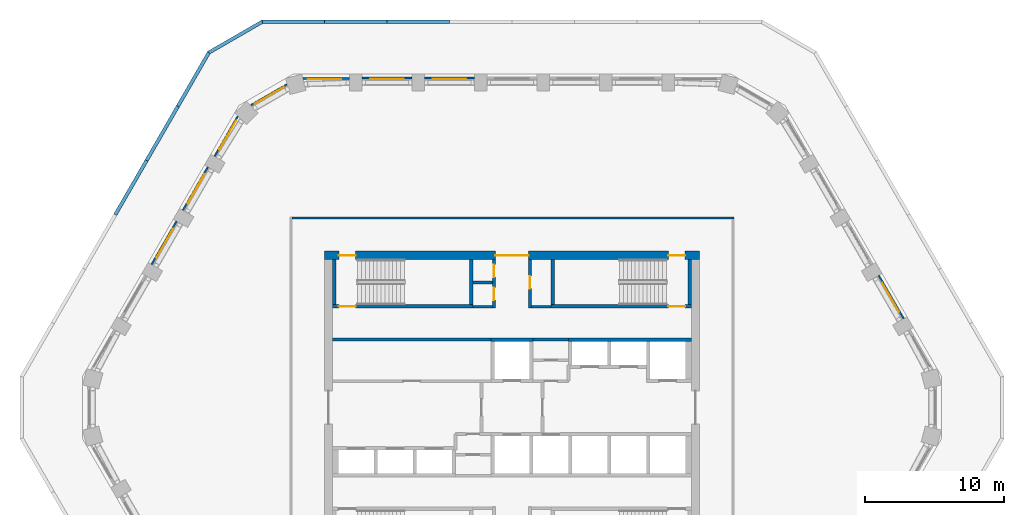
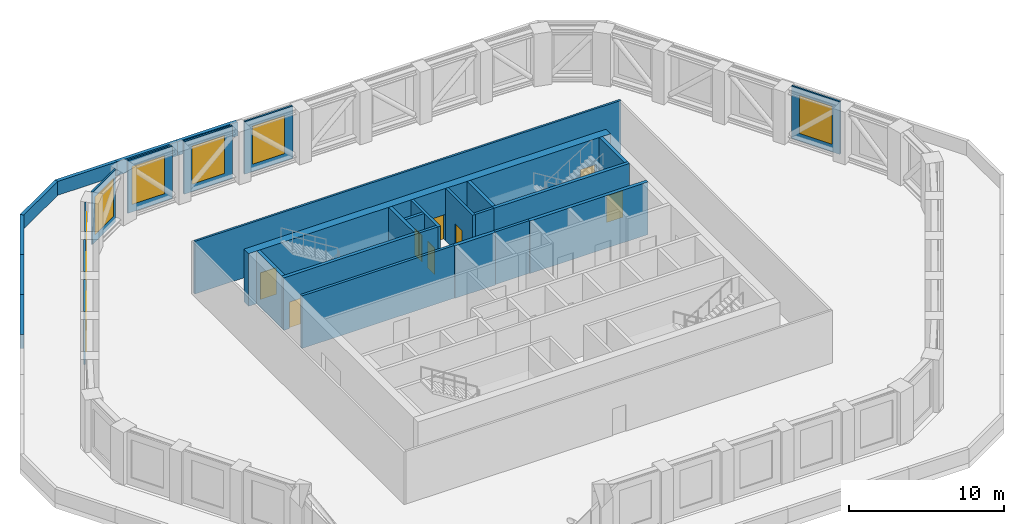
# One storey, part 6 of 14: 32 walls, 8 doors, 8 windows, 16 openings.
"""IFC4 building model written with IfcOpenShell, lengths in metres."""

from ifc_helpers import new_model, si_unit, direction, frame, frame_2d, origin, place, context, subcontext, project, spatial, polyline, rectangle, outline, extrude, material, layer, layer_set, type_object, element, fill, save


model = new_model("IFC4")

# Units and contexts
model_context = context("Model", 3, precision=1e-05, world=origin(), true_north=direction((0.0, 1.0)))
body_context = subcontext(model_context, "Body", "Model", "MODEL_VIEW")
ifc_project = project(units=[si_unit("LENGTHUNIT", "METRE"), si_unit("AREAUNIT", "SQUARE_METRE"), si_unit("VOLUMEUNIT", "CUBIC_METRE"), si_unit("PLANEANGLEUNIT", "RADIAN"), si_unit("MASSUNIT", "GRAM", prefix="KILO")], contexts=[model_context])

# Site, building, storey
site_placement = place(None, origin())
site = spatial("IfcSite", under=ifc_project, at=site_placement, CompositionType="ELEMENT")
building_placement = place(site_placement, origin())
building = spatial("IfcBuilding", under=site, at=building_placement, Name="Dhurran Vertical Campus", CompositionType="ELEMENT")
storey_placement = place(building_placement, frame((0.0, 0.0, 179.39990234375)))
storey = spatial("IfcBuildingStorey", under=building, at=storey_placement, Name="L44 Plant", CompositionType="ELEMENT", Elevation=179.39990234375)

# Wall, opening, window
ifc_material_1 = material(Name="Precast concrete C50/60", Category="concrete")
ifc_layer_1 = layer(ifc_material_1, 0.1201171875)
ifc_layer_set_1 = layer_set([ifc_layer_1], Name="Precast concrete C50/60")
wall_type_1 = type_object("IfcWallType", Name="Precast louvre-bay panel 120", PredefinedType="SOLIDWALL", material=ifc_layer_set_1)
wall_1_placement = place(storey_placement, frame((28.17919921875, 6.397216796875, 0.0), z_axis=(0.0, 0.0, 1.0), x_axis=(-0.500027802648, 0.866009351323, 0.0)))
wall_1 = element("IfcWall", 1, at=wall_1_placement, inside=storey, type_object=wall_type_1, Name="EW4 L44.15", PredefinedType="SOLIDWALL", context=body_context, shape_type="SweptSolid", body=[
    extrude(rectangle(XDim=3.598876953125, YDim=0.1201171875, at=frame_2d((1.79931640625, 0.0))), origin(), (0.0, 0.0, 1.0), 4.150146484375),
])
opening_1_placement = place(wall_1_placement, frame((0.599609375, 0.0, 0.60009765625)))
opening_1 = element("IfcOpeningElement", 2, at=opening_1_placement, cuts=wall_1, Name="Opening WT4", PredefinedType="OPENING", context=body_context, shape_type="SweptSolid", body=[
    extrude(rectangle(XDim=2.39990234375, YDim=3.0, at=frame_2d((1.199951171875, 1.5))), frame((0.0, 0.070068359375, 0.0), z_axis=(0.0, -1.0, 0.0), x_axis=(1.0, 0.0, 0.0)), (0.0, 0.0, 1.0), 0.14013671875),
])
ifc_material_2 = material(Name="Aluminium louvre", Category="aluminium")
window_type = type_object("IfcWindowType", Name="Louvred plant vent 2400 x 3000", PartitioningType="SINGLE_PANEL", PredefinedType="WINDOW", material=ifc_material_2)
window_1_placement = place(opening_1_placement, origin())
window_1 = element("IfcWindow", 3, at=window_1_placement, inside=storey, type_object=window_type, Name="WT4 L44.15", OverallHeight=3.0, OverallWidth=2.39990234375, PartitioningType="SINGLE_PANEL", PredefinedType="WINDOW", context=body_context, shape_type="SweptSolid", body=[
    extrude(rectangle(XDim=2.39990234375, YDim=3.0, at=frame_2d((1.199951171875, 1.5))), frame((0.0, 0.06005859375, 0.0), z_axis=(0.0, -1.0, 0.0), x_axis=(1.0, 0.0, 0.0)), (0.0, 0.0, 1.0), 0.02001953125),
])
fill(opening_1, window_1)

wall_2_placement = place(storey_placement, frame((-2.700439453125, 23.705322265625, 0.0), z_axis=(0.0, 0.0, 1.0), x_axis=(-1.0, 0.0, 0.0)))
wall_2 = element("IfcWall", 4, at=wall_2_placement, inside=storey, type_object=wall_type_1, Name="EW4 L44.24", PredefinedType="SOLIDWALL", context=body_context, shape_type="SweptSolid", body=[
    extrude(rectangle(XDim=3.59912109375, YDim=0.1201171875, at=frame_2d((1.799560546875, 0.0))), origin(), (0.0, 0.0, 1.0), 4.150146484375),
])
opening_2_placement = place(wall_2_placement, frame((0.599609375, 0.0, 0.60009765625)))
opening_2 = element("IfcOpeningElement", 5, at=opening_2_placement, cuts=wall_2, Name="Opening WT4", PredefinedType="OPENING", context=body_context, shape_type="SweptSolid", body=[
    extrude(rectangle(XDim=2.39990234375, YDim=3.0, at=frame_2d((1.199951171875, 1.5))), frame((0.0, 0.070068359375, 0.0), z_axis=(0.0, -1.0, 0.0), x_axis=(1.0, 0.0, 0.0)), (0.0, 0.0, 1.0), 0.14013671875),
])
window_2_placement = place(opening_2_placement, origin())
window_2 = element("IfcWindow", 6, at=window_2_placement, inside=storey, type_object=window_type, Name="WT4 L44.24", OverallHeight=3.0, OverallWidth=2.39990234375, PartitioningType="SINGLE_PANEL", PredefinedType="WINDOW", context=body_context, shape_type="SweptSolid", body=[
    extrude(rectangle(XDim=2.39990234375, YDim=3.0, at=frame_2d((1.199951171875, 1.5))), frame((0.0, 0.06005859375, 0.0), z_axis=(0.0, -1.0, 0.0), x_axis=(1.0, 0.0, 0.0)), (0.0, 0.0, 1.0), 0.02001953125),
])
fill(opening_2, window_2)

wall_3_placement = place(storey_placement, frame((-7.200439453125, 23.705322265625, 0.0), z_axis=(0.0, 0.0, 1.0), x_axis=(-1.0, 0.0, 0.0)))
wall_3 = element("IfcWall", 7, at=wall_3_placement, inside=storey, type_object=wall_type_1, Name="EW4 L44.25", PredefinedType="SOLIDWALL", context=body_context, shape_type="SweptSolid", body=[
    extrude(rectangle(XDim=3.59912109375, YDim=0.1201171875, at=frame_2d((1.799560546875, 0.0))), origin(), (0.0, 0.0, 1.0), 4.150146484375),
])
opening_3_placement = place(wall_3_placement, frame((0.599609375, 0.0, 0.60009765625)))
opening_3 = element("IfcOpeningElement", 8, at=opening_3_placement, cuts=wall_3, Name="Opening WT4", PredefinedType="OPENING", context=body_context, shape_type="SweptSolid", body=[
    extrude(rectangle(XDim=2.39990234375, YDim=3.0, at=frame_2d((1.199951171875, 1.5))), frame((0.0, 0.070068359375, 0.0), z_axis=(0.0, -1.0, 0.0), x_axis=(1.0, 0.0, 0.0)), (0.0, 0.0, 1.0), 0.14013671875),
])
window_3_placement = place(opening_3_placement, origin())
window_3 = element("IfcWindow", 9, at=window_3_placement, inside=storey, type_object=window_type, Name="WT4 L44.25", OverallHeight=3.0, OverallWidth=2.39990234375, PartitioningType="SINGLE_PANEL", PredefinedType="WINDOW", context=body_context, shape_type="SweptSolid", body=[
    extrude(rectangle(XDim=2.39990234375, YDim=3.0, at=frame_2d((1.199951171875, 1.5))), frame((0.0, 0.06005859375, 0.0), z_axis=(0.0, -1.0, 0.0), x_axis=(1.0, 0.0, 0.0)), (0.0, 0.0, 1.0), 0.02001953125),
])
fill(opening_3, window_3)

wall_4_placement = place(storey_placement, frame((-11.700439453125, 23.66943359375, 0.0), z_axis=(0.0, 0.0, 1.0), x_axis=(-1.0, 0.0, 0.0)))
wall_4 = element("IfcWall", 10, at=wall_4_placement, inside=storey, type_object=wall_type_1, Name="EW4 L44.26", PredefinedType="SOLIDWALL", context=body_context, shape_type="SweptSolid", body=[
    extrude(rectangle(XDim=3.327392578125, YDim=0.1201171875, at=frame_2d((1.66357421875, 0.0))), origin(), (0.0, 0.0, 1.0), 4.150146484375),
])
opening_4_placement = place(wall_4_placement, frame((0.599609375, 0.0, 0.60009765625)))
opening_4 = element("IfcOpeningElement", 11, at=opening_4_placement, cuts=wall_4, Name="Opening WT4", PredefinedType="OPENING", context=body_context, shape_type="SweptSolid", body=[
    extrude(rectangle(XDim=2.39990234375, YDim=3.0, at=frame_2d((1.199951171875, 1.5))), frame((0.0, 0.070068359375, 0.0), z_axis=(0.0, -1.0, 0.0), x_axis=(1.0, 0.0, 0.0)), (0.0, 0.0, 1.0), 0.14013671875),
])
window_4_placement = place(opening_4_placement, origin())
window_4 = element("IfcWindow", 12, at=window_4_placement, inside=storey, type_object=window_type, Name="WT4 L44.26", OverallHeight=3.0, OverallWidth=2.39990234375, PartitioningType="SINGLE_PANEL", PredefinedType="WINDOW", context=body_context, shape_type="SweptSolid", body=[
    extrude(rectangle(XDim=2.39990234375, YDim=3.0, at=frame_2d((1.199951171875, 1.5))), frame((0.0, 0.06005859375, 0.0), z_axis=(0.0, -1.0, 0.0), x_axis=(1.0, 0.0, 0.0)), (0.0, 0.0, 1.0), 0.02001953125),
])
fill(opening_4, window_4)

wall_5_placement = place(storey_placement, frame((-16.19091796875, 23.251708984375, 0.0), z_axis=(0.0, 0.0, 1.0), x_axis=(-0.866037998184, -0.499978185225, 0.0)))
wall_5 = element("IfcWall", 13, at=wall_5_placement, inside=storey, type_object=wall_type_1, Name="EW4 L44.27", PredefinedType="SOLIDWALL", context=body_context, shape_type="SweptSolid", body=[
    extrude(rectangle(XDim=3.002685546875, YDim=0.1201171875, at=frame_2d((1.50146484375, 0.0))), origin(), (0.0, 0.0, 1.0), 4.150146484375),
])
opening_5_placement = place(wall_5_placement, frame((0.30126953125, 0.0, 0.60009765625)))
opening_5 = element("IfcOpeningElement", 14, at=opening_5_placement, cuts=wall_5, Name="Opening WT4", PredefinedType="OPENING", context=body_context, shape_type="SweptSolid", body=[
    extrude(rectangle(XDim=2.39990234375, YDim=3.0, at=frame_2d((1.199951171875, 1.5))), frame((0.0, 0.070068359375, 0.0), z_axis=(0.0, -1.0, 0.0), x_axis=(1.0, 0.0, 0.0)), (0.0, 0.0, 1.0), 0.14013671875),
])
window_5_placement = place(opening_5_placement, origin())
window_5 = element("IfcWindow", 15, at=window_5_placement, inside=storey, type_object=window_type, Name="WT4 L44.27", OverallHeight=3.0, OverallWidth=2.39990234375, PartitioningType="SINGLE_PANEL", PredefinedType="WINDOW", context=body_context, shape_type="SweptSolid", body=[
    extrude(rectangle(XDim=2.39990234375, YDim=3.0, at=frame_2d((1.199951171875, 1.5))), frame((0.0, 0.06005859375, 0.0), z_axis=(0.0, -1.0, 0.0), x_axis=(1.0, 0.0, 0.0)), (0.0, 0.0, 1.0), 0.02001953125),
])
fill(opening_5, window_5)

wall_6_placement = place(storey_placement, frame((-19.734375, 20.951904296875, 0.0), z_axis=(0.0, 0.0, 1.0), x_axis=(-0.500006170614, -0.866021841149, 0.0)))
wall_6 = element("IfcWall", 16, at=wall_6_placement, inside=storey, type_object=wall_type_1, Name="EW4 L44.28", PredefinedType="SOLIDWALL", context=body_context, shape_type="SweptSolid", body=[
    extrude(rectangle(XDim=3.3271484375, YDim=0.1201171875, at=frame_2d((1.66357421875, 0.0))), origin(), (0.0, 0.0, 1.0), 4.150146484375),
])
opening_6_placement = place(wall_6_placement, frame((0.32763671875, 0.0, 0.60009765625)))
opening_6 = element("IfcOpeningElement", 17, at=opening_6_placement, cuts=wall_6, Name="Opening WT4", PredefinedType="OPENING", context=body_context, shape_type="SweptSolid", body=[
    extrude(rectangle(XDim=2.39990234375, YDim=3.0, at=frame_2d((1.199951171875, 1.5))), frame((0.0, 0.070068359375, 0.0), z_axis=(0.0, -1.0, 0.0), x_axis=(1.0, 0.0, 0.0)), (0.0, 0.0, 1.0), 0.14013671875),
])
window_6_placement = place(opening_6_placement, origin())
window_6 = element("IfcWindow", 18, at=window_6_placement, inside=storey, type_object=window_type, Name="WT4 L44.28", OverallHeight=3.0, OverallWidth=2.39990234375, PartitioningType="SINGLE_PANEL", PredefinedType="WINDOW", context=body_context, shape_type="SweptSolid", body=[
    extrude(rectangle(XDim=2.39990234375, YDim=3.0, at=frame_2d((1.199951171875, 1.5))), frame((0.0, 0.06005859375, 0.0), z_axis=(0.0, -1.0, 0.0), x_axis=(1.0, 0.0, 0.0)), (0.0, 0.0, 1.0), 0.02001953125),
])
fill(opening_6, window_6)

wall_7_placement = place(storey_placement, frame((-21.879638671875, 17.30810546875, 0.0), z_axis=(0.0, 0.0, 1.0), x_axis=(-0.500027802648, -0.866009351323, 0.0)))
wall_7 = element("IfcWall", 19, at=wall_7_placement, inside=storey, type_object=wall_type_1, Name="EW4 L44.29", PredefinedType="SOLIDWALL", context=body_context, shape_type="SweptSolid", body=[
    extrude(rectangle(XDim=3.598876953125, YDim=0.1201171875, at=frame_2d((1.79931640625, 0.0))), origin(), (0.0, 0.0, 1.0), 4.150146484375),
])
opening_7_placement = place(wall_7_placement, frame((0.599609375, 0.0, 0.60009765625)))
opening_7 = element("IfcOpeningElement", 20, at=opening_7_placement, cuts=wall_7, Name="Opening WT4", PredefinedType="OPENING", context=body_context, shape_type="SweptSolid", body=[
    extrude(rectangle(XDim=2.39990234375, YDim=3.0, at=frame_2d((1.199951171875, 1.5))), frame((0.0, 0.070068359375, 0.0), z_axis=(0.0, -1.0, 0.0), x_axis=(1.0, 0.0, 0.0)), (0.0, 0.0, 1.0), 0.14013671875),
])
window_7_placement = place(opening_7_placement, origin())
window_7 = element("IfcWindow", 21, at=window_7_placement, inside=storey, type_object=window_type, Name="WT4 L44.29", OverallHeight=3.0, OverallWidth=2.39990234375, PartitioningType="SINGLE_PANEL", PredefinedType="WINDOW", context=body_context, shape_type="SweptSolid", body=[
    extrude(rectangle(XDim=2.39990234375, YDim=3.0, at=frame_2d((1.199951171875, 1.5))), frame((0.0, 0.06005859375, 0.0), z_axis=(0.0, -1.0, 0.0), x_axis=(1.0, 0.0, 0.0)), (0.0, 0.0, 1.0), 0.02001953125),
])
fill(opening_7, window_7)

wall_8_placement = place(storey_placement, frame((-24.129638671875, 13.4111328125, 0.0), z_axis=(0.0, 0.0, 1.0), x_axis=(-0.499998428639, -0.866026311008, 0.0)))
wall_8 = element("IfcWall", 22, at=wall_8_placement, inside=storey, type_object=wall_type_1, Name="EW4 L44.30", PredefinedType="SOLIDWALL", context=body_context, shape_type="SweptSolid", body=[
    extrude(rectangle(XDim=3.59912109375, YDim=0.1201171875, at=frame_2d((1.799560546875, 0.0))), origin(), (0.0, 0.0, 1.0), 4.150146484375),
])
opening_8_placement = place(wall_8_placement, frame((0.599609375, 0.0, 0.60009765625)))
opening_8 = element("IfcOpeningElement", 23, at=opening_8_placement, cuts=wall_8, Name="Opening WT4", PredefinedType="OPENING", context=body_context, shape_type="SweptSolid", body=[
    extrude(rectangle(XDim=2.39990234375, YDim=3.0, at=frame_2d((1.199951171875, 1.5))), frame((0.0, 0.070068359375, 0.0), z_axis=(0.0, -1.0, 0.0), x_axis=(1.0, 0.0, 0.0)), (0.0, 0.0, 1.0), 0.14013671875),
])
window_8_placement = place(opening_8_placement, origin())
window_8 = element("IfcWindow", 24, at=window_8_placement, inside=storey, type_object=window_type, Name="WT4 L44.30", OverallHeight=3.0, OverallWidth=2.39990234375, PartitioningType="SINGLE_PANEL", PredefinedType="WINDOW", context=body_context, shape_type="SweptSolid", body=[
    extrude(rectangle(XDim=2.39990234375, YDim=3.0, at=frame_2d((1.199951171875, 1.5))), frame((0.0, 0.06005859375, 0.0), z_axis=(0.0, -1.0, 0.0), x_axis=(1.0, 0.0, 0.0)), (0.0, 0.0, 1.0), 0.02001953125),
])
fill(opening_8, window_8)

# Walls
ifc_material_3 = material(Name="Precast concrete C50/60", Category="concrete")
ifc_layer_2 = layer(ifc_material_3, 0.25)
ifc_layer_set_2 = layer_set([ifc_layer_2], Name="Precast concrete C50/60")
wall_type_2 = type_object("IfcWallType", Name="Precast parapet 250", PredefinedType="PARAPET", material=ifc_layer_set_2)
wall_9_placement = place(storey_placement, origin())
element("IfcWall", 25, at=wall_9_placement, inside=storey, type_object=wall_type_2, Name="PW1 L44.28", PredefinedType="PARAPET", context=body_context, shape_type="SweptSolid", body=[
    extrude(outline(polyline([(-4.5, 27.8828125), (-9.0, 27.8828125), (-9.0, 27.6328125), (-4.5, 27.6328125), (-4.5, 27.8828125)])), origin(), (0.0, 0.0, 1.0), 1.10009765625),
])
wall_10_placement = place(storey_placement, origin())
element("IfcWall", 26, at=wall_10_placement, inside=storey, type_object=wall_type_2, Name="PW1 L44.29", PredefinedType="PARAPET", context=body_context, shape_type="SweptSolid", body=[
    extrude(outline(polyline([(-9.0, 27.8828125), (-13.5, 27.8828125), (-13.5, 27.6328125), (-9.0, 27.6328125), (-9.0, 27.8828125)])), origin(), (0.0, 0.0, 1.0), 1.10009765625),
])
wall_11_placement = place(storey_placement, origin())
element("IfcWall", 27, at=wall_11_placement, inside=storey, type_object=wall_type_2, Name="PW1 L44.30", PredefinedType="PARAPET", context=body_context, shape_type="SweptSolid", body=[
    extrude(outline(polyline([(-13.5, 27.8828125), (-18.0, 27.8828125), (-17.93310546875, 27.6328125), (-13.5, 27.6328125), (-13.5, 27.8828125)])), origin(), (0.0, 0.0, 1.0), 1.10009765625),
])
wall_12_placement = place(storey_placement, origin())
element("IfcWall", 28, at=wall_12_placement, inside=storey, type_object=wall_type_2, Name="PW1 L44.31", PredefinedType="PARAPET", context=body_context, shape_type="SweptSolid", body=[
    extrude(outline(polyline([(-18.0, 27.8828125), (-21.897216796875, 25.6328125), (-21.714111328125, 25.44970703125), (-17.93310546875, 27.6328125), (-18.0, 27.8828125)])), origin(), (0.0, 0.0, 1.0), 1.10009765625),
])
wall_13_placement = place(storey_placement, origin())
element("IfcWall", 29, at=wall_13_placement, inside=storey, type_object=wall_type_2, Name="PW1 L44.32", PredefinedType="PARAPET", context=body_context, shape_type="SweptSolid", body=[
    extrude(outline(polyline([(-21.897216796875, 25.6328125), (-24.147216796875, 21.735595703125), (-23.9306640625, 21.610595703125), (-21.714111328125, 25.44970703125), (-21.897216796875, 25.6328125)])), origin(), (0.0, 0.0, 1.0), 1.10009765625),
])
wall_14_placement = place(storey_placement, origin())
element("IfcWall", 30, at=wall_14_placement, inside=storey, type_object=wall_type_2, Name="PW1 L44.33", PredefinedType="PARAPET", context=body_context, shape_type="SweptSolid", body=[
    extrude(outline(polyline([(-24.147216796875, 21.735595703125), (-26.397216796875, 17.83837890625), (-26.1806640625, 17.71337890625), (-23.9306640625, 21.610595703125), (-24.147216796875, 21.735595703125)])), origin(), (0.0, 0.0, 1.0), 1.10009765625),
])
wall_15_placement = place(storey_placement, origin())
element("IfcWall", 31, at=wall_15_placement, inside=storey, type_object=wall_type_2, Name="PW1 L44.34", PredefinedType="PARAPET", context=body_context, shape_type="SweptSolid", body=[
    extrude(outline(polyline([(-26.397216796875, 17.83837890625), (-28.647216796875, 13.94140625), (-28.4306640625, 13.81640625), (-26.1806640625, 17.71337890625), (-26.397216796875, 17.83837890625)])), origin(), (0.0, 0.0, 1.0), 1.10009765625),
])

# Wall, openings, doors
ifc_material_4 = material(Name="Concrete C50/60", Category="concrete")
ifc_layer_3 = layer(ifc_material_4, 0.60009765625)
ifc_layer_set_3 = layer_set([ifc_layer_3], Name="Concrete C50/60")
wall_type_3 = type_object("IfcWallType", Name="co-CORE-WALL-C2-600", PredefinedType="SHEAR", material=ifc_layer_set_3)
wall_16_placement = place(storey_placement, frame((-13.5, 10.949951171875, 0.0), z_axis=(0.0, 0.0, 1.0), x_axis=(1.0, 0.0, 0.0)))
wall_16 = element("IfcWall", 32, at=wall_16_placement, inside=storey, type_object=wall_type_3, Name="Core wall N L44", PredefinedType="SHEAR", context=body_context, shape_type="SweptSolid", body=[
    extrude(rectangle(XDim=27.0, YDim=0.60009765625, at=frame_2d((13.5, 0.0))), origin(), (0.0, 0.0, 1.0), 4.150146484375),
])
opening_9_placement = place(wall_16_placement, frame((12.300048828125, 0.0, 0.0)))
opening_9 = element("IfcOpeningElement", 33, at=opening_9_placement, cuts=wall_16, Name="Opening CV1", PredefinedType="OPENING", context=body_context, shape_type="SweptSolid", body=[
    extrude(rectangle(XDim=2.39990234375, YDim=2.10009765625, at=frame_2d((1.199951171875, 1.050048828125))), frame((0.0, 0.31005859375, 0.0), z_axis=(0.0, -1.0, 0.0), x_axis=(1.0, 0.0, 0.0)), (0.0, 0.0, 1.0), 0.6201171875),
])
opening_10_placement = place(wall_16_placement, frame((1.050048828125, 0.0, 0.0)))
opening_10 = element("IfcOpeningElement", 34, at=opening_10_placement, cuts=wall_16, Name="Opening XD1", PredefinedType="OPENING", context=body_context, shape_type="SweptSolid", body=[
    extrude(rectangle(XDim=1.199951171875, YDim=2.10009765625, at=frame_2d((0.60009765625, 1.050048828125))), frame((0.0, 0.31005859375, 0.0), z_axis=(0.0, -1.0, 0.0), x_axis=(1.0, 0.0, 0.0)), (0.0, 0.0, 1.0), 0.6201171875),
])
opening_11_placement = place(wall_16_placement, frame((24.75, 0.0, 0.0)))
opening_11 = element("IfcOpeningElement", 35, at=opening_11_placement, cuts=wall_16, Name="Opening XD2", PredefinedType="OPENING", context=body_context, shape_type="SweptSolid", body=[
    extrude(rectangle(XDim=1.199951171875, YDim=2.10009765625, at=frame_2d((0.60009765625, 1.050048828125))), frame((0.0, 0.31005859375, 0.0), z_axis=(0.0, -1.0, 0.0), x_axis=(1.0, 0.0, 0.0)), (0.0, 0.0, 1.0), 0.6201171875),
])
ifc_material_5 = material(Name="Fire-rated glazed door set")
door_type_1 = type_object("IfcDoorType", Name="co-D-LOBBY 2400x2100", OperationType="DOUBLE_DOOR_DOUBLE_SWING", PredefinedType="DOOR", material=ifc_material_5)
door_1_placement = place(opening_9_placement, origin())
door_1 = element("IfcDoor", 36, at=door_1_placement, inside=storey, type_object=door_type_1, Name="Core vestibule door N L44", OperationType="DOUBLE_DOOR_DOUBLE_SWING", OverallHeight=2.10009765625, OverallWidth=2.39990234375, PredefinedType="DOOR", context=body_context, shape_type="SweptSolid", body=[
    extrude(rectangle(XDim=2.39990234375, YDim=2.10009765625, at=frame_2d((1.199951171875, 1.050048828125))), frame((0.0, 0.02490234375, 0.0), z_axis=(0.0, -1.0, 0.0), x_axis=(1.0, 0.0, 0.0)), (0.0, 0.0, 1.0), 0.050048828125),
])
fill(opening_9, door_1)
ifc_material_6 = material(Name="Fire-rated steel door set", Category="steel")
door_type_2 = type_object("IfcDoorType", Name="co-D-STAIR-EXIT 1200x2100", OperationType="SINGLE_SWING_RIGHT", PredefinedType="DOOR", material=ifc_material_6)
door_2_placement = place(opening_10_placement, origin())
door_2 = element("IfcDoor", 37, at=door_2_placement, inside=storey, type_object=door_type_2, Name="Stair ST1 exit door L44", OperationType="SINGLE_SWING_RIGHT", OverallHeight=2.10009765625, OverallWidth=1.199951171875, PredefinedType="DOOR", context=body_context, shape_type="SweptSolid", body=[
    extrude(rectangle(XDim=1.199951171875, YDim=2.10009765625, at=frame_2d((0.60009765625, 1.050048828125))), frame((0.0, 0.02490234375, 0.0), z_axis=(0.0, -1.0, 0.0), x_axis=(1.0, 0.0, 0.0)), (0.0, 0.0, 1.0), 0.050048828125),
])
fill(opening_10, door_2)
door_3_placement = place(opening_11_placement, origin())
door_3 = element("IfcDoor", 38, at=door_3_placement, inside=storey, type_object=door_type_2, Name="Stair ST2 exit door L44", OperationType="SINGLE_SWING_RIGHT", OverallHeight=2.10009765625, OverallWidth=1.199951171875, PredefinedType="DOOR", context=body_context, shape_type="SweptSolid", body=[
    extrude(rectangle(XDim=1.199951171875, YDim=2.10009765625, at=frame_2d((0.60009765625, 1.050048828125))), frame((0.0, 0.02490234375, 0.0), z_axis=(0.0, -1.0, 0.0), x_axis=(1.0, 0.0, 0.0)), (0.0, 0.0, 1.0), 0.050048828125),
])
fill(opening_11, door_3)

# Walls
ifc_material_7 = material(Name="Fire-rated masonry blockwork", Category="masonry")
ifc_layer_4 = layer(ifc_material_7, 0.199951171875)
ifc_layer_set_4 = layer_set([ifc_layer_4], Name="Fire-rated masonry blockwork")
wall_type_4 = type_object("IfcWallType", Name="co-FIRE-PARTITION-200", PredefinedType="PARTITIONING", material=ifc_layer_set_4)
for number, where, z_axis, x_axis, name in (
    (39, (-2.800048828125, 7.25, 0.0), (0.0, 0.0, 1.0), (1.0, 0.0, 0.0), "Core partition sl-NW-S L44"),
    (40, (-2.800048828125, 9.0, 0.0), (0.0, 0.0, 1.0), (1.0, 0.0, 0.0), "Core partition sl-NW-cut0 L44"),
    (41, (1.39990234375, 7.25, 0.0), (0.0, 0.0, 1.0), (1.0, 0.0, 0.0), "Core partition sl-NE-S L44"),
):
    element("IfcWall", number, at=place(storey_placement, frame(where, z_axis=z_axis, x_axis=x_axis)), inside=storey, type_object=wall_type_4, Name=name, PredefinedType="PARTITIONING", context=body_context, shape_type="SweptSolid", body=[
        extrude(rectangle(XDim=1.400146484375, YDim=0.199951171875, at=frame_2d((0.7001953125, 0.0))), origin(), (0.0, 0.0, 1.0), 4.150146484375),
    ])

# Wall, openings, doors
wall_17_placement = place(storey_placement, frame((-1.300048828125, 7.14990234375, 0.0), z_axis=(0.0, 0.0, 1.0), x_axis=(0.0, 1.0, 0.0)))
wall_17 = element("IfcWall", 42, at=wall_17_placement, inside=storey, type_object=wall_type_4, Name="Core partition vest-NW L44", PredefinedType="PARTITIONING", context=body_context, shape_type="SweptSolid", body=[
    extrude(rectangle(XDim=3.5, YDim=0.199951171875, at=frame_2d((1.75, 0.0))), origin(), (0.0, 0.0, 1.0), 4.150146484375),
])
opening_12_placement = place(wall_17_placement, frame((0.574951171875, 0.0, 0.0)))
opening_12 = element("IfcOpeningElement", 43, at=opening_12_placement, cuts=wall_17, Name="Opening BR44-C3", PredefinedType="OPENING", context=body_context, shape_type="SweptSolid", body=[
    extrude(rectangle(XDim=0.89990234375, YDim=2.10009765625, at=frame_2d((0.449951171875, 1.050048828125))), frame((0.0, 0.10986328125, 0.0), z_axis=(0.0, -1.0, 0.0), x_axis=(1.0, 0.0, 0.0)), (0.0, 0.0, 1.0), 0.219970703125),
])
opening_13_placement = place(wall_17_placement, frame((2.22509765625, 0.0, 0.0)))
opening_13 = element("IfcOpeningElement", 44, at=opening_13_placement, cuts=wall_17, Name="Opening BR44-C4", PredefinedType="OPENING", context=body_context, shape_type="SweptSolid", body=[
    extrude(rectangle(XDim=0.89990234375, YDim=2.10009765625, at=frame_2d((0.449951171875, 1.050048828125))), frame((0.0, 0.10986328125, 0.0), z_axis=(0.0, -1.0, 0.0), x_axis=(1.0, 0.0, 0.0)), (0.0, 0.0, 1.0), 0.219970703125),
])
ifc_material_8 = material(Name="Fire-rated timber door set", Category="wood")
door_type_3 = type_object("IfcDoorType", Name="co-D-ROOM 900x2100", OperationType="SINGLE_SWING_LEFT", PredefinedType="DOOR", material=ifc_material_8)
door_4_placement = place(opening_12_placement, origin())
door_4 = element("IfcDoor", 45, at=door_4_placement, inside=storey, type_object=door_type_3, Name="Heat exchanger plant room door L44", OperationType="SINGLE_SWING_LEFT", OverallHeight=2.10009765625, OverallWidth=0.89990234375, PredefinedType="DOOR", context=body_context, shape_type="SweptSolid", body=[
    extrude(rectangle(XDim=0.89990234375, YDim=2.10009765625, at=frame_2d((0.449951171875, 1.050048828125))), frame((0.0, 0.02490234375, 0.0), z_axis=(0.0, -1.0, 0.0), x_axis=(1.0, 0.0, 0.0)), (0.0, 0.0, 1.0), 0.050048828125),
])
fill(opening_12, door_4)
door_5_placement = place(opening_13_placement, origin())
door_5 = element("IfcDoor", 46, at=door_5_placement, inside=storey, type_object=door_type_3, Name="Pump room door L44", OperationType="SINGLE_SWING_LEFT", OverallHeight=2.10009765625, OverallWidth=0.89990234375, PredefinedType="DOOR", context=body_context, shape_type="SweptSolid", body=[
    extrude(rectangle(XDim=0.89990234375, YDim=2.10009765625, at=frame_2d((0.449951171875, 1.050048828125))), frame((0.0, 0.02490234375, 0.0), z_axis=(0.0, -1.0, 0.0), x_axis=(1.0, 0.0, 0.0)), (0.0, 0.0, 1.0), 0.050048828125),
])
fill(opening_13, door_5)

# Wall, opening, door
wall_18_placement = place(storey_placement, frame((1.300048828125, 7.14990234375, 0.0), z_axis=(0.0, 0.0, 1.0), x_axis=(0.0, 1.0, 0.0)))
wall_18 = element("IfcWall", 47, at=wall_18_placement, inside=storey, type_object=wall_type_4, Name="Core partition vest-NE L44", PredefinedType="PARTITIONING", context=body_context, shape_type="SweptSolid", body=[
    extrude(rectangle(XDim=3.5, YDim=0.199951171875, at=frame_2d((1.75, 0.0))), origin(), (0.0, 0.0, 1.0), 4.150146484375),
])
opening_14_placement = place(wall_18_placement, frame((1.39990234375, 0.0, 0.0)))
opening_14 = element("IfcOpeningElement", 48, at=opening_14_placement, cuts=wall_18, Name="Opening BR44-C5", PredefinedType="OPENING", context=body_context, shape_type="SweptSolid", body=[
    extrude(rectangle(XDim=0.89990234375, YDim=2.10009765625, at=frame_2d((0.449951171875, 1.050048828125))), frame((0.0, 0.10986328125, 0.0), z_axis=(0.0, -1.0, 0.0), x_axis=(1.0, 0.0, 0.0)), (0.0, 0.0, 1.0), 0.219970703125),
])
door_6_placement = place(opening_14_placement, origin())
door_6 = element("IfcDoor", 49, at=door_6_placement, inside=storey, type_object=door_type_3, Name="Air handling plant room door L44", OperationType="SINGLE_SWING_LEFT", OverallHeight=2.10009765625, OverallWidth=0.89990234375, PredefinedType="DOOR", context=body_context, shape_type="SweptSolid", body=[
    extrude(rectangle(XDim=0.89990234375, YDim=2.10009765625, at=frame_2d((0.449951171875, 1.050048828125))), frame((0.0, 0.02490234375, 0.0), z_axis=(0.0, -1.0, 0.0), x_axis=(1.0, 0.0, 0.0)), (0.0, 0.0, 1.0), 0.050048828125),
])
fill(opening_14, door_6)

# Walls
wall_19_placement = place(storey_placement, frame((-12.89990234375, 4.89990234375, 0.0), z_axis=(0.0, 0.0, 1.0), x_axis=(1.0, 0.0, 0.0)))
element("IfcWall", 50, at=wall_19_placement, inside=storey, type_object=wall_type_4, Name="Core partition fr-N0-b L44", PredefinedType="PARTITIONING", context=body_context, shape_type="SweptSolid", body=[
    extrude(rectangle(XDim=11.375, YDim=0.199951171875, at=frame_2d((5.6875, 0.0))), origin(), (0.0, 0.0, 1.0), 4.150146484375),
])
wall_20_placement = place(storey_placement, frame((1.52490234375, 4.89990234375, 0.0), z_axis=(0.0, 0.0, 1.0), x_axis=(1.0, 0.0, 0.0)))
element("IfcWall", 51, at=wall_20_placement, inside=storey, type_object=wall_type_4, Name="Core partition fr-N1-b L44", PredefinedType="PARTITIONING", context=body_context, shape_type="SweptSolid", body=[
    extrude(rectangle(XDim=2.550048828125, YDim=0.199951171875, at=frame_2d((1.27490234375, 0.0))), origin(), (0.0, 0.0, 1.0), 4.150146484375),
])
ifc_material_9 = material(Name="Concrete C50/60", Category="concrete")
ifc_layer_5 = layer(ifc_material_9, 0.25)
ifc_layer_set_5 = layer_set([ifc_layer_5], Name="Concrete C50/60")
wall_type_5 = type_object("IfcWallType", Name="co-SHAFT-MASS-250", PredefinedType="SHEAR", material=ifc_layer_set_5)
wall_21_placement = place(storey_placement, origin())
element("IfcWall", 52, at=wall_21_placement, inside=storey, type_object=wall_type_5, Name="Lift shaft wall N L44 1", PredefinedType="SHEAR", context=body_context, shape_type="SweptSolid", body=[
    extrude(outline(polyline([(-1.52490234375, 4.75), (1.52490234375, 4.75), (1.52490234375, 5.0), (-1.52490234375, 5.0), (-1.52490234375, 4.75)])), origin(), (0.0, 0.0, 1.0), 4.150146484375),
])
wall_22_placement = place(storey_placement, origin())
element("IfcWall", 53, at=wall_22_placement, inside=storey, type_object=wall_type_5, Name="Lift shaft wall N L44 2", PredefinedType="SHEAR", context=body_context, shape_type="SweptSolid", body=[
    extrude(outline(polyline([(4.074951171875, 4.75), (12.89990234375, 4.75), (12.89990234375, 5.0), (4.074951171875, 5.0), (4.074951171875, 4.75)])), origin(), (0.0, 0.0, 1.0), 4.150146484375),
])

# Wall, opening, door
ifc_material_10 = material(Name="Concrete C40/50", Category="concrete")
ifc_layer_6 = layer(ifc_material_10, 0.25)
ifc_layer_set_6 = layer_set([ifc_layer_6], Name="Concrete C40/50")
wall_type_6 = type_object("IfcWallType", Name="co-STAIR-WALL-250", PredefinedType="SHEAR", material=ifc_layer_set_6)
wall_23_placement = place(storey_placement, frame((-12.89990234375, 7.27490234375, 0.0), z_axis=(0.0, 0.0, 1.0), x_axis=(1.0, 0.0, 0.0)))
wall_23 = element("IfcWall", 54, at=wall_23_placement, inside=storey, type_object=wall_type_6, Name="Stair ST1 enclosure wall L44", PredefinedType="SHEAR", context=body_context, shape_type="SweptSolid", body=[
    extrude(rectangle(XDim=10.099853515625, YDim=0.25, at=frame_2d((5.0498046875, 0.0))), origin(), (0.0, 0.0, 1.0), 4.150146484375),
])
opening_15_placement = place(wall_23_placement, frame((0.449951171875, 0.0, 0.0)))
opening_15 = element("IfcOpeningElement", 55, at=opening_15_placement, cuts=wall_23, Name="Opening SD1", PredefinedType="OPENING", context=body_context, shape_type="SweptSolid", body=[
    extrude(rectangle(XDim=1.199951171875, YDim=2.10009765625, at=frame_2d((0.60009765625, 1.050048828125))), frame((0.0, 0.135009765625, 0.0), z_axis=(0.0, -1.0, 0.0), x_axis=(1.0, 0.0, 0.0)), (0.0, 0.0, 1.0), 0.27001953125),
])
ifc_material_11 = material(Name="Fire-rated steel door set", Category="steel")
door_type_4 = type_object("IfcDoorType", Name="co-D-STAIR 1200x2100", OperationType="SINGLE_SWING_LEFT", PredefinedType="DOOR", material=ifc_material_11)
door_7_placement = place(opening_15_placement, origin())
door_7 = element("IfcDoor", 56, at=door_7_placement, inside=storey, type_object=door_type_4, Name="Stair ST1 door L44", OperationType="SINGLE_SWING_LEFT", OverallHeight=2.10009765625, OverallWidth=1.199951171875, PredefinedType="DOOR", context=body_context, shape_type="SweptSolid", body=[
    extrude(rectangle(XDim=1.199951171875, YDim=2.10009765625, at=frame_2d((0.60009765625, 1.050048828125))), frame((0.0, 0.02490234375, 0.0), z_axis=(0.0, -1.0, 0.0), x_axis=(1.0, 0.0, 0.0)), (0.0, 0.0, 1.0), 0.050048828125),
])
fill(opening_15, door_7)

# Walls
for number, where, z_axis, x_axis, name in (
    (57, (-12.77490234375, 7.39990234375, 0.0), (0.0, 0.0, 1.0), (0.0, 1.0, 0.0), "Stair ST1 enclosure wall L44"),
    (58, (-2.925048828125, 7.39990234375, 0.0), (0.0, 0.0, 1.0), (0.0, 1.0, 0.0), "Stair ST1 enclosure wall L44"),
):
    element("IfcWall", number, at=place(storey_placement, frame(where, z_axis=z_axis, x_axis=x_axis)), inside=storey, type_object=wall_type_6, Name=name, PredefinedType="SHEAR", context=body_context, shape_type="SweptSolid", body=[
        extrude(rectangle(XDim=3.25, YDim=0.25, at=frame_2d((1.625, 0.0))), origin(), (0.0, 0.0, 1.0), 4.150146484375),
    ])

# Wall, opening, door
wall_24_placement = place(storey_placement, frame((2.800048828125, 7.27490234375, 0.0), z_axis=(0.0, 0.0, 1.0), x_axis=(1.0, 0.0, 0.0)))
wall_24 = element("IfcWall", 59, at=wall_24_placement, inside=storey, type_object=wall_type_6, Name="Stair ST2 enclosure wall L44", PredefinedType="SHEAR", context=body_context, shape_type="SweptSolid", body=[
    extrude(rectangle(XDim=10.099853515625, YDim=0.25, at=frame_2d((5.0498046875, 0.0))), origin(), (0.0, 0.0, 1.0), 4.150146484375),
])
opening_16_placement = place(wall_24_placement, frame((8.449951171875, 0.0, 0.0)))
opening_16 = element("IfcOpeningElement", 60, at=opening_16_placement, cuts=wall_24, Name="Opening SD2", PredefinedType="OPENING", context=body_context, shape_type="SweptSolid", body=[
    extrude(rectangle(XDim=1.199951171875, YDim=2.10009765625, at=frame_2d((0.60009765625, 1.050048828125))), frame((0.0, 0.135009765625, 0.0), z_axis=(0.0, -1.0, 0.0), x_axis=(1.0, 0.0, 0.0)), (0.0, 0.0, 1.0), 0.27001953125),
])
door_8_placement = place(opening_16_placement, origin())
door_8 = element("IfcDoor", 61, at=door_8_placement, inside=storey, type_object=door_type_4, Name="Stair ST2 door L44", OperationType="SINGLE_SWING_LEFT", OverallHeight=2.10009765625, OverallWidth=1.199951171875, PredefinedType="DOOR", context=body_context, shape_type="SweptSolid", body=[
    extrude(rectangle(XDim=1.199951171875, YDim=2.10009765625, at=frame_2d((0.60009765625, 1.050048828125))), frame((0.0, 0.02490234375, 0.0), z_axis=(0.0, -1.0, 0.0), x_axis=(1.0, 0.0, 0.0)), (0.0, 0.0, 1.0), 0.050048828125),
])
fill(opening_16, door_8)

# Walls
for number, where, z_axis, x_axis, name in (
    (62, (2.925048828125, 7.39990234375, 0.0), (0.0, 0.0, 1.0), (0.0, 1.0, 0.0), "Stair ST2 enclosure wall L44"),
    (63, (12.77490234375, 7.39990234375, 0.0), (0.0, 0.0, 1.0), (0.0, 1.0, 0.0), "Stair ST2 enclosure wall L44"),
):
    element("IfcWall", number, at=place(storey_placement, frame(where, z_axis=z_axis, x_axis=x_axis)), inside=storey, type_object=wall_type_6, Name=name, PredefinedType="SHEAR", context=body_context, shape_type="SweptSolid", body=[
        extrude(rectangle(XDim=3.25, YDim=0.25, at=frame_2d((1.625, 0.0))), origin(), (0.0, 0.0, 1.0), 4.150146484375),
    ])
ifc_material_12 = material(Name="Gypsum board corridor wall on steel studs", Category="steel")
ifc_layer_7 = layer(ifc_material_12, 0.14990234375)
ifc_layer_set_7 = layer_set([ifc_layer_7], Name="Gypsum board corridor wall on steel studs")
wall_type_7 = type_object("IfcWallType", Name="fl-CW-150 corridor wall", PredefinedType="PARTITIONING", material=ifc_layer_set_7)
wall_25_placement = place(storey_placement, frame((15.97509765625, 13.64990234375, 0.0), z_axis=(0.0, 0.0, 1.0), x_axis=(-1.0, 0.0, 0.0)))
element("IfcWall", 64, at=wall_25_placement, inside=storey, type_object=wall_type_7, Name="Partition 44-03", PredefinedType="PARTITIONING", context=body_context, shape_type="SweptSolid", body=[
    extrude(rectangle(XDim=31.800048828125, YDim=0.14990234375, at=frame_2d((15.89990234375, 0.0))), origin(), (0.0, 0.0, 1.0), 4.150146484375),
])

save(model, "model.ifc")
